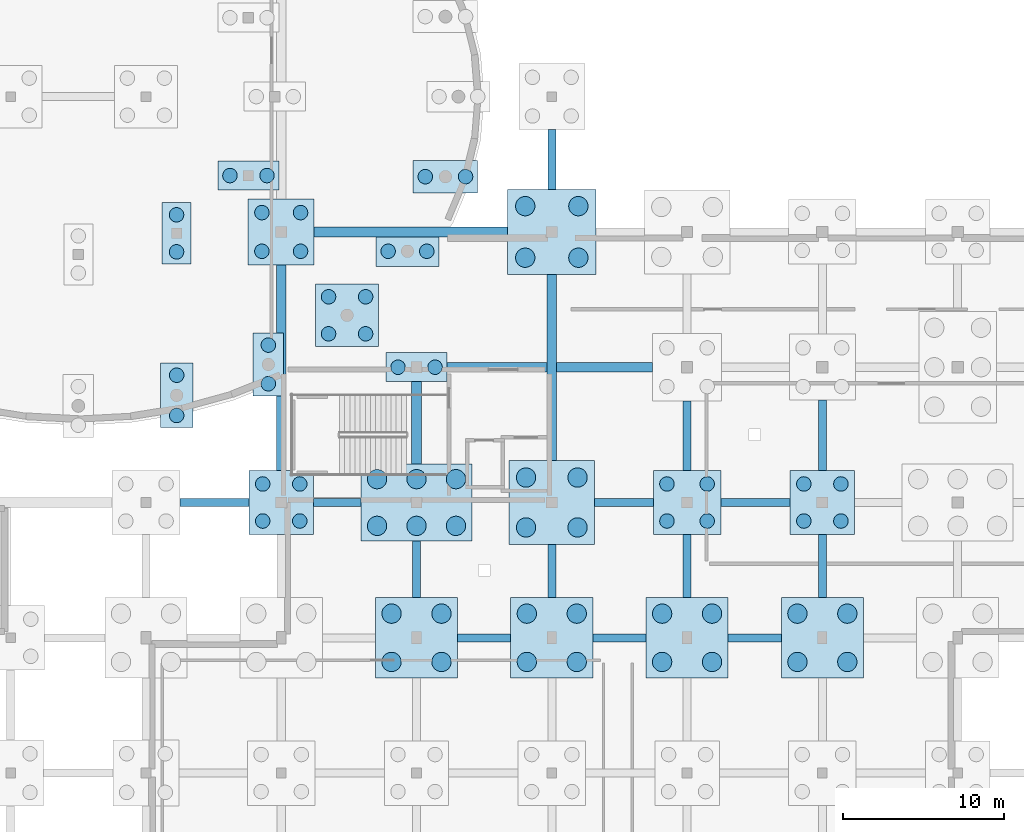
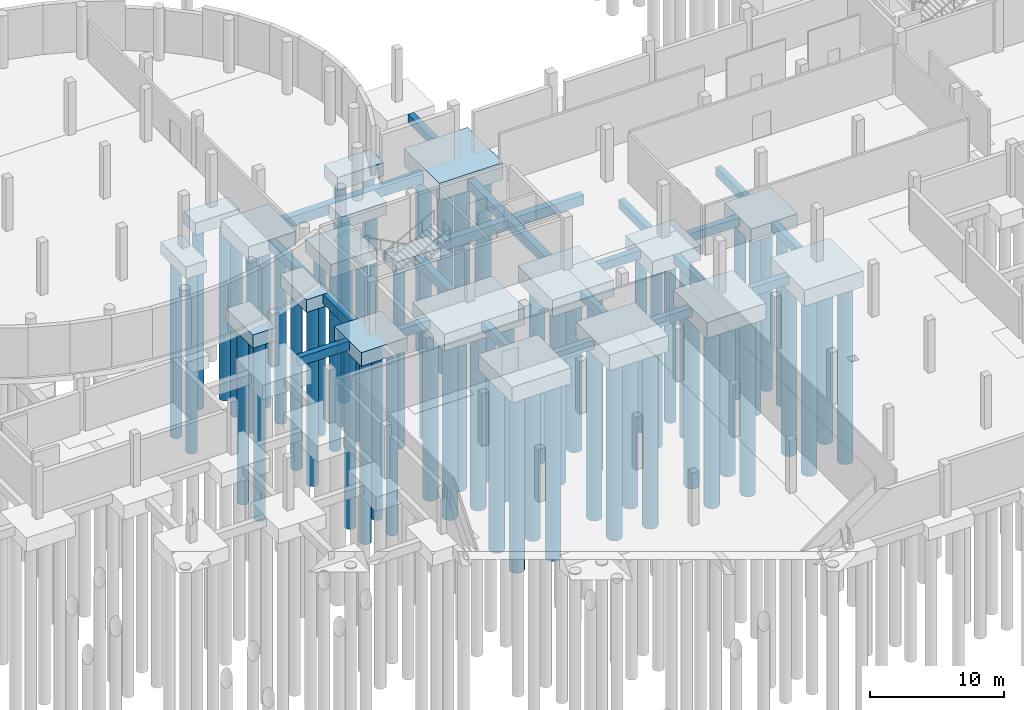
# One storey, part 5 of 24: 64 piles, 38 footings.
"""IFC4 building model written with IfcOpenShell, lengths in metres."""

from ifc_helpers import new_model, si_unit, derived_unit, direction, frame, origin, origin_2d, place, context, subcontext, project, spatial, rectangle, circle, extrude, material, layer, layer_set, material_profile, profile_set, type_object, element, save


model = new_model("IFC4")

# Units and contexts
model_context = context("Model", 3, precision=1e-05, world=origin(), true_north=direction((0.0, 1.0)))
body_context = subcontext(model_context, "Body", "Model", "MODEL_VIEW")
ifc_project = project(units=[si_unit("LENGTHUNIT", "METRE"), si_unit("AREAUNIT", "SQUARE_METRE"), si_unit("VOLUMEUNIT", "CUBIC_METRE"), si_unit("PLANEANGLEUNIT", "RADIAN"), si_unit("MASSUNIT", "GRAM", prefix="KILO"), derived_unit("THERMALTRANSMITTANCEUNIT", [(si_unit("POWERUNIT", "WATT"), 1), (si_unit("LENGTHUNIT", "METRE"), -2), (si_unit("THERMODYNAMICTEMPERATUREUNIT", "KELVIN"), -1)])], contexts=[model_context])

# Site, building, storey
site_placement = place(None, origin())
site = spatial("IfcSite", under=ifc_project, at=site_placement, CompositionType="ELEMENT")
building_placement = place(site_placement, origin())
building = spatial("IfcBuilding", under=site, at=building_placement, Name="Elbkamm Science Centre", CompositionType="ELEMENT")
storey_placement = place(building_placement, frame((0.0, 0.0, -4.800048828125)))
storey = spatial("IfcBuildingStorey", under=building, at=storey_placement, Name="B01", CompositionType="ELEMENT", Elevation=-4.800048828125)

# Footings
ifc_material = material(Name="Concrete C35/45", Category="concrete")
footing_type_1 = type_object("IfcFootingType", Name="FTG-TIE-500x800", PredefinedType="FOOTING_BEAM", material=ifc_material)
for number, where, z_axis, x_axis, name in (
    (1, (88.199951171875, 33.60009765625, -1.2998046875), (0.0, 0.0, 1.0), (1.0, 0.0, 0.0), "Substructure Ground Tie Beam X-050"),
    (2, (96.60009765625, 33.60009765625, -1.2998046875), (0.0, 0.0, 1.0), (1.0, 0.0, 0.0), "Substructure Ground Tie Beam X-051"),
    (3, (105.0, 33.60009765625, -1.2998046875), (0.0, 0.0, 1.0), (1.0, 0.0, 0.0), "Substructure Ground Tie Beam X-052"),
):
    element("IfcFooting", number, at=place(storey_placement, frame(where, z_axis=z_axis, x_axis=x_axis)), inside=storey, type_object=footing_type_1, Name=name, PredefinedType="FOOTING_BEAM", context=body_context, shape_type="SweptSolid", body=[
        extrude(rectangle(XDim=3.300048828125, YDim=0.5, at=origin_2d()), origin(), (0.0, 0.0, 1.0), 0.800048828125),
    ])
footing_1_placement = place(storey_placement, frame((71.449951171875, 42.0, -0.7998046875), z_axis=(0.0, 0.0, 1.0), x_axis=(1.0, 0.0, 0.0)))
element("IfcFooting", 4, at=footing_1_placement, inside=storey, type_object=footing_type_1, Name="Substructure Ground Tie Beam X-062", PredefinedType="FOOTING_BEAM", context=body_context, shape_type="SweptSolid", body=[
    extrude(rectangle(XDim=4.300048828125, YDim=0.5, at=origin_2d()), origin(), (0.0, 0.0, 1.0), 0.800048828125),
])
footing_2_placement = place(storey_placement, frame((79.074951171875, 42.0, -1.2998046875), z_axis=(0.0, 0.0, 1.0), x_axis=(1.0, 0.0, 0.0)))
element("IfcFooting", 5, at=footing_2_placement, inside=storey, type_object=footing_type_1, Name="Substructure Ground Tie Beam X-063", PredefinedType="FOOTING_BEAM", context=body_context, shape_type="SweptSolid", body=[
    extrude(rectangle(XDim=2.949951171875, YDim=0.5, at=origin_2d()), origin(), (0.0, 0.0, 1.0), 0.800048828125),
])
footing_3_placement = place(storey_placement, frame((96.875, 42.0, -1.2998046875), z_axis=(0.0, 0.0, 1.0), x_axis=(1.0, 0.0, 0.0)))
element("IfcFooting", 6, at=footing_3_placement, inside=storey, type_object=footing_type_1, Name="Substructure Ground Tie Beam X-064", PredefinedType="FOOTING_BEAM", context=body_context, shape_type="SweptSolid", body=[
    extrude(rectangle(XDim=3.64990234375, YDim=0.5, at=origin_2d()), origin(), (0.0, 0.0, 1.0), 0.800048828125),
])
footing_4_placement = place(storey_placement, frame((105.050048828125, 42.0, -1.2998046875), z_axis=(0.0, 0.0, 1.0), x_axis=(1.0, 0.0, 0.0)))
element("IfcFooting", 7, at=footing_4_placement, inside=storey, type_object=footing_type_1, Name="Substructure Ground Tie Beam X-065", PredefinedType="FOOTING_BEAM", context=body_context, shape_type="SweptSolid", body=[
    extrude(rectangle(XDim=4.300048828125, YDim=0.5, at=origin_2d()), origin(), (0.0, 0.0, 1.0), 0.800048828125),
])
footing_5_placement = place(storey_placement, frame((84.0, 37.85009765625, -1.2998046875), z_axis=(0.0, 0.0, 1.0), x_axis=(1.0, 0.0, 0.0)))
element("IfcFooting", 8, at=footing_5_placement, inside=storey, type_object=footing_type_1, Name="Substructure Ground Tie Beam Y-177", PredefinedType="FOOTING_BEAM", context=body_context, shape_type="SweptSolid", body=[
    extrude(rectangle(XDim=0.5, YDim=3.5, at=origin_2d()), origin(), (0.0, 0.0, 1.0), 0.800048828125),
])
footing_6_placement = place(storey_placement, frame((92.39990234375, 37.75, -1.2998046875), z_axis=(0.0, 0.0, 1.0), x_axis=(1.0, 0.0, 0.0)))
element("IfcFooting", 9, at=footing_6_placement, inside=storey, type_object=footing_type_1, Name="Substructure Ground Tie Beam Y-183", PredefinedType="FOOTING_BEAM", context=body_context, shape_type="SweptSolid", body=[
    extrude(rectangle(XDim=0.5, YDim=3.300048828125, at=origin_2d()), origin(), (0.0, 0.0, 1.0), 0.800048828125),
])
footing_7_placement = place(storey_placement, frame((92.39990234375, 63.300048828125, -0.7998046875), z_axis=(0.0, 0.0, 1.0), x_axis=(1.0, 0.0, 0.0)))
element("IfcFooting", 10, at=footing_7_placement, inside=storey, type_object=footing_type_1, Name="Substructure Ground Tie Beam Y-185", PredefinedType="FOOTING_BEAM", context=body_context, shape_type="SweptSolid", body=[
    extrude(rectangle(XDim=0.5, YDim=3.699951171875, at=origin_2d()), origin(), (0.0, 0.0, 1.0), 0.800048828125),
])
footing_8_placement = place(storey_placement, frame((100.800048828125, 38.050048828125, -1.2998046875), z_axis=(0.0, 0.0, 1.0), x_axis=(1.0, 0.0, 0.0)))
element("IfcFooting", 11, at=footing_8_placement, inside=storey, type_object=footing_type_1, Name="Substructure Ground Tie Beam Y-190", PredefinedType="FOOTING_BEAM", context=body_context, shape_type="SweptSolid", body=[
    extrude(rectangle(XDim=0.5, YDim=3.89990234375, at=origin_2d()), origin(), (0.0, 0.0, 1.0), 0.800048828125),
])
footing_9_placement = place(storey_placement, frame((100.800048828125, 46.14990234375, -1.2998046875), z_axis=(0.0, 0.0, 1.0), x_axis=(1.0, 0.0, 0.0)))
element("IfcFooting", 12, at=footing_9_placement, inside=storey, type_object=footing_type_1, Name="Substructure Ground Tie Beam Y-191", PredefinedType="FOOTING_BEAM", context=body_context, shape_type="SweptSolid", body=[
    extrude(rectangle(XDim=0.5, YDim=4.300048828125, at=origin_2d()), origin(), (0.0, 0.0, 1.0), 0.800048828125),
])
footing_10_placement = place(storey_placement, frame((109.199951171875, 38.050048828125, -1.2998046875), z_axis=(0.0, 0.0, 1.0), x_axis=(1.0, 0.0, 0.0)))
element("IfcFooting", 13, at=footing_10_placement, inside=storey, type_object=footing_type_1, Name="Substructure Ground Tie Beam Y-197", PredefinedType="FOOTING_BEAM", context=body_context, shape_type="SweptSolid", body=[
    extrude(rectangle(XDim=0.5, YDim=3.89990234375, at=origin_2d()), origin(), (0.0, 0.0, 1.0), 0.800048828125),
])
footing_11_placement = place(storey_placement, frame((109.199951171875, 46.175048828125, -1.2998046875), z_axis=(0.0, 0.0, 1.0), x_axis=(1.0, 0.0, 0.0)))
element("IfcFooting", 14, at=footing_11_placement, inside=storey, type_object=footing_type_1, Name="Substructure Ground Tie Beam Y-198", PredefinedType="FOOTING_BEAM", context=body_context, shape_type="SweptSolid", body=[
    extrude(rectangle(XDim=0.5, YDim=4.35009765625, at=origin_2d()), origin(), (0.0, 0.0, 1.0), 0.800048828125),
])
footing_type_2 = type_object("IfcFootingType", Name="FTG-TIE-600x900", PredefinedType="FOOTING_BEAM", material=ifc_material)
footing_12_placement = place(storey_placement, frame((92.27490234375, 50.39990234375, -1.39990234375), z_axis=(0.0, 0.0, 1.0), x_axis=(1.0, 0.0, 0.0)))
element("IfcFooting", 15, at=footing_12_placement, inside=storey, type_object=footing_type_2, Name="Substructure Ground Tie Beam X-073", PredefinedType="FOOTING_BEAM", context=body_context, shape_type="SweptSolid", body=[
    extrude(rectangle(XDim=12.75, YDim=0.60009765625, at=origin_2d()), origin(), (0.0, 0.0, 1.0), 0.89990234375),
])
footing_13_placement = place(storey_placement, frame((83.64990234375, 58.800048828125, -1.39990234375), z_axis=(0.0, 0.0, 1.0), x_axis=(1.0, 0.0, 0.0)))
element("IfcFooting", 16, at=footing_13_placement, inside=storey, type_object=footing_type_2, Name="Substructure Ground Tie Beam X-084", PredefinedType="FOOTING_BEAM", context=body_context, shape_type="SweptSolid", body=[
    extrude(rectangle(XDim=12.0, YDim=0.60009765625, at=origin_2d()), origin(), (0.0, 0.0, 1.0), 0.89990234375),
])
footing_14_placement = place(storey_placement, frame((75.60009765625, 50.375, -1.39990234375), z_axis=(0.0, 0.0, 1.0), x_axis=(1.0, 0.0, 0.0)))
element("IfcFooting", 17, at=footing_14_placement, inside=storey, type_object=footing_type_2, Name="Substructure Ground Tie Beam Y-171", PredefinedType="FOOTING_BEAM", context=body_context, shape_type="SweptSolid", body=[
    extrude(rectangle(XDim=0.60009765625, YDim=12.75, at=origin_2d()), origin(), (0.0, 0.0, 1.0), 0.89990234375),
])
footing_15_placement = place(storey_placement, frame((84.0, 46.949951171875, -1.39990234375), z_axis=(0.0, 0.0, 1.0), x_axis=(1.0, 0.0, 0.0)))
element("IfcFooting", 18, at=footing_15_placement, inside=storey, type_object=footing_type_2, Name="Substructure Ground Tie Beam Y-178", PredefinedType="FOOTING_BEAM", context=body_context, shape_type="SweptSolid", body=[
    extrude(rectangle(XDim=0.60009765625, YDim=5.10009765625, at=origin_2d()), origin(), (0.0, 0.0, 1.0), 0.89990234375),
])
footing_16_placement = place(storey_placement, frame((92.39990234375, 50.375, -1.39990234375), z_axis=(0.0, 0.0, 1.0), x_axis=(1.0, 0.0, 0.0)))
element("IfcFooting", 19, at=footing_16_placement, inside=storey, type_object=footing_type_2, Name="Substructure Ground Tie Beam Y-184", PredefinedType="FOOTING_BEAM", context=body_context, shape_type="SweptSolid", body=[
    extrude(rectangle(XDim=0.60009765625, YDim=11.550048828125, at=origin_2d()), origin(), (0.0, 0.0, 1.0), 0.89990234375),
])
ifc_layer_1 = layer(ifc_material, 1.10009765625)
ifc_layer_set_1 = layer_set([ifc_layer_1], Name="Concrete C35/45")
footing_type_3 = type_object("IfcFootingType", Name="PC-2P-180x380x110", PredefinedType="PILE_CAP", material=ifc_layer_set_1)
footing_17_placement = place(storey_placement, frame((69.10009765625, 58.712890625, -1.60009765625), z_axis=(0.0, 0.0, 1.0), x_axis=(1.0, 0.0, 0.0)))
element("IfcFooting", 20, at=footing_17_placement, inside=storey, type_object=footing_type_3, Name="Pile Cap SH-IN-11", PredefinedType="PILE_CAP", context=body_context, shape_type="SweptSolid", body=[
    extrude(rectangle(XDim=1.800048828125, YDim=3.800048828125, at=origin_2d()), origin(), (0.0, 0.0, 1.0), 1.10009765625),
])
ifc_layer_2 = layer(ifc_material, 1.14990234375)
ifc_layer_set_2 = layer_set([ifc_layer_2], Name="Concrete C35/45")
footing_type_4 = type_object("IfcFootingType", Name="PC-2P-190x390x115", PredefinedType="PILE_CAP", material=ifc_layer_set_2)
footing_18_placement = place(storey_placement, frame((74.800048828125, 50.572021484375, -1.64990234375), z_axis=(0.0, 0.0, 1.0), x_axis=(1.0, 0.0, 0.0)))
element("IfcFooting", 21, at=footing_18_placement, inside=storey, type_object=footing_type_4, Name="Pile Cap SH-OUT-21", PredefinedType="PILE_CAP", context=body_context, shape_type="SweptSolid", body=[
    extrude(rectangle(XDim=1.89990234375, YDim=3.89990234375, at=origin_2d()), origin(), (0.0, 0.0, 1.0), 1.14990234375),
])
ifc_layer_3 = layer(ifc_material, 1.199951171875)
ifc_layer_set_3 = layer_set([ifc_layer_3], Name="Concrete C35/45")
footing_type_5 = type_object("IfcFootingType", Name="PC-2P-200x400x120", PredefinedType="PILE_CAP", material=ifc_layer_set_3)
footing_19_placement = place(storey_placement, frame((69.10791015625, 48.654052734375, -1.69970703125), z_axis=(0.0, 0.0, 1.0), x_axis=(1.0, 0.0, 0.0)))
element("IfcFooting", 22, at=footing_19_placement, inside=storey, type_object=footing_type_5, Name="Pile Cap SH-OUT-20", PredefinedType="PILE_CAP", context=body_context, shape_type="SweptSolid", body=[
    extrude(rectangle(XDim=2.0, YDim=4.0, at=origin_2d()), origin(), (0.0, 0.0, 1.0), 1.199951171875),
])
ifc_layer_4 = layer(ifc_material, 1.10009765625)
ifc_layer_set_4 = layer_set([ifc_layer_4], Name="Concrete C35/45")
footing_type_6 = type_object("IfcFootingType", Name="PC-2P-380x180x110", PredefinedType="PILE_CAP", material=ifc_layer_set_4)
for number, where, z_axis, x_axis, name in (
    (23, (73.56591796875, 62.300048828125, -1.60009765625), (0.0, 0.0, 1.0), (1.0, 0.0, 0.0), "Pile Cap SH-IN-12"),
    (24, (84.0, 50.39990234375, -1.60009765625), (0.0, 0.0, 1.0), (1.0, 0.0, 0.0), "Pile Cap GRID-11-G"),
):
    element("IfcFooting", number, at=place(storey_placement, frame(where, z_axis=z_axis, x_axis=x_axis)), inside=storey, type_object=footing_type_6, Name=name, PredefinedType="PILE_CAP", context=body_context, shape_type="SweptSolid", body=[
        extrude(rectangle(XDim=3.800048828125, YDim=1.800048828125, at=origin_2d()), origin(), (0.0, 0.0, 1.0), 1.10009765625),
    ])
ifc_layer_5 = layer(ifc_material, 1.14990234375)
ifc_layer_set_5 = layer_set([ifc_layer_5], Name="Concrete C35/45")
footing_type_7 = type_object("IfcFootingType", Name="PC-2P-390x190x115", PredefinedType="PILE_CAP", material=ifc_layer_set_5)
footing_20_placement = place(storey_placement, frame((83.43798828125, 57.60009765625, -1.64990234375), z_axis=(0.0, 0.0, 1.0), x_axis=(1.0, 0.0, 0.0)))
element("IfcFooting", 25, at=footing_20_placement, inside=storey, type_object=footing_type_7, Name="Pile Cap SH-OUT-23", PredefinedType="PILE_CAP", context=body_context, shape_type="SweptSolid", body=[
    extrude(rectangle(XDim=3.89990234375, YDim=1.89990234375, at=origin_2d()), origin(), (0.0, 0.0, 1.0), 1.14990234375),
])
ifc_layer_6 = layer(ifc_material, 1.199951171875)
ifc_layer_set_6 = layer_set([ifc_layer_6], Name="Concrete C35/45")
footing_type_8 = type_object("IfcFootingType", Name="PC-2P-400x200x120", PredefinedType="PILE_CAP", material=ifc_layer_set_6)
footing_21_placement = place(storey_placement, frame((85.7958984375, 62.23095703125, -1.69970703125), z_axis=(0.0, 0.0, 1.0), x_axis=(1.0, 0.0, 0.0)))
element("IfcFooting", 26, at=footing_21_placement, inside=storey, type_object=footing_type_8, Name="Pile Cap SH-OUT-24", PredefinedType="PILE_CAP", context=body_context, shape_type="SweptSolid", body=[
    extrude(rectangle(XDim=4.0, YDim=2.0, at=origin_2d()), origin(), (0.0, 0.0, 1.0), 1.199951171875),
])
ifc_layer_7 = layer(ifc_material, 1.199951171875)
ifc_layer_set_7 = layer_set([ifc_layer_7], Name="Concrete C35/45")
footing_type_9 = type_object("IfcFootingType", Name="PC-4P-390x390x120", PredefinedType="PILE_CAP", material=ifc_layer_set_7)
footing_22_placement = place(storey_placement, frame((79.68798828125, 53.6240234375, -1.69970703125), z_axis=(0.0, 0.0, 1.0), x_axis=(1.0, 0.0, 0.0)))
element("IfcFooting", 27, at=footing_22_placement, inside=storey, type_object=footing_type_9, Name="Pile Cap SH-OUT-22", PredefinedType="PILE_CAP", context=body_context, shape_type="SweptSolid", body=[
    extrude(rectangle(XDim=3.89990234375, YDim=3.89990234375, at=origin_2d()), origin(), (0.0, 0.0, 1.0), 1.199951171875),
])
ifc_layer_8 = layer(ifc_material, 1.25)
ifc_layer_set_8 = layer_set([ifc_layer_8], Name="Concrete C35/45")
footing_type_10 = type_object("IfcFootingType", Name="PC-4P-400x400x125", PredefinedType="PILE_CAP", material=ifc_layer_set_8)
for number, where, z_axis, x_axis, name in (
    (28, (75.60009765625, 42.0, -1.25), (0.0, 0.0, 1.0), (1.0, 0.0, 0.0), "Pile Cap GRID-10-F"),
    (29, (109.199951171875, 42.0, -1.75), (0.0, 0.0, 1.0), (1.0, 0.0, 0.0), "Pile Cap GRID-14-F"),
):
    element("IfcFooting", number, at=place(storey_placement, frame(where, z_axis=z_axis, x_axis=x_axis)), inside=storey, type_object=footing_type_10, Name=name, PredefinedType="PILE_CAP", context=body_context, shape_type="SweptSolid", body=[
        extrude(rectangle(XDim=4.0, YDim=4.0, at=origin_2d()), origin(), (0.0, 0.0, 1.0), 1.25),
    ])
ifc_layer_9 = layer(ifc_material, 1.300048828125)
ifc_layer_set_9 = layer_set([ifc_layer_9], Name="Concrete C35/45")
footing_type_11 = type_object("IfcFootingType", Name="PC-4P-410x410x130", PredefinedType="PILE_CAP", material=ifc_layer_set_9)
footing_23_placement = place(storey_placement, frame((75.60009765625, 58.800048828125, -1.7998046875), z_axis=(0.0, 0.0, 1.0), x_axis=(1.0, 0.0, 0.0)))
element("IfcFooting", 30, at=footing_23_placement, inside=storey, type_object=footing_type_11, Name="Pile Cap GRID-10-H", PredefinedType="PILE_CAP", context=body_context, shape_type="SweptSolid", body=[
    extrude(rectangle(XDim=4.10009765625, YDim=4.10009765625, at=origin_2d()), origin(), (0.0, 0.0, 1.0), 1.300048828125),
])
ifc_layer_10 = layer(ifc_material, 1.300048828125)
ifc_layer_set_10 = layer_set([ifc_layer_10], Name="Concrete C35/45")
footing_type_12 = type_object("IfcFootingType", Name="PC-4P-420x400x130", PredefinedType="PILE_CAP", material=ifc_layer_set_10)
footing_24_placement = place(storey_placement, frame((100.800048828125, 42.0, -1.7998046875), z_axis=(0.0, 0.0, 1.0), x_axis=(1.0, 0.0, 0.0)))
element("IfcFooting", 31, at=footing_24_placement, inside=storey, type_object=footing_type_12, Name="Pile Cap GRID-13-F", PredefinedType="PILE_CAP", context=body_context, shape_type="SweptSolid", body=[
    extrude(rectangle(XDim=4.199951171875, YDim=4.0, at=origin_2d()), origin(), (0.0, 0.0, 1.0), 1.300048828125),
])
ifc_layer_11 = layer(ifc_material, 1.449951171875)
ifc_layer_set_11 = layer_set([ifc_layer_11], Name="Concrete C35/45")
footing_type_13 = type_object("IfcFootingType", Name="PC-4P-510x500x145", PredefinedType="PILE_CAP", material=ifc_layer_set_11)
for number, where, z_axis, x_axis, name in (
    (32, (84.0, 33.60009765625, -1.94970703125), (0.0, 0.0, 1.0), (1.0, 0.0, 0.0), "Pile Cap TH-PIER-N03"),
    (33, (92.39990234375, 33.60009765625, -1.94970703125), (0.0, 0.0, 1.0), (1.0, 0.0, 0.0), "Pile Cap TH-PIER-N04"),
    (34, (100.800048828125, 33.60009765625, -1.94970703125), (0.0, 0.0, 1.0), (1.0, 0.0, 0.0), "Pile Cap TH-PIER-N05"),
    (35, (109.199951171875, 33.60009765625, -1.94970703125), (0.0, 0.0, 1.0), (1.0, 0.0, 0.0), "Pile Cap TH-PIER-N06"),
):
    element("IfcFooting", number, at=place(storey_placement, frame(where, z_axis=z_axis, x_axis=x_axis)), inside=storey, type_object=footing_type_13, Name=name, PredefinedType="PILE_CAP", context=body_context, shape_type="SweptSolid", body=[
        extrude(rectangle(XDim=5.10009765625, YDim=5.0, at=origin_2d()), origin(), (0.0, 0.0, 1.0), 1.449951171875),
    ])
ifc_layer_12 = layer(ifc_material, 1.5)
ifc_layer_set_12 = layer_set([ifc_layer_12], Name="Concrete C35/45")
footing_type_14 = type_object("IfcFootingType", Name="PC-4P-530x520x150", PredefinedType="PILE_CAP", material=ifc_layer_set_12)
footing_25_placement = place(storey_placement, frame((92.39990234375, 42.0, -2.0), z_axis=(0.0, 0.0, 1.0), x_axis=(1.0, 0.0, 0.0)))
element("IfcFooting", 36, at=footing_25_placement, inside=storey, type_object=footing_type_14, Name="Pile Cap GRID-12-F", PredefinedType="PILE_CAP", context=body_context, shape_type="SweptSolid", body=[
    extrude(rectangle(XDim=5.300048828125, YDim=5.199951171875, at=origin_2d()), origin(), (0.0, 0.0, 1.0), 1.5),
])
ifc_layer_13 = layer(ifc_material, 1.550048828125)
ifc_layer_set_13 = layer_set([ifc_layer_13], Name="Concrete C35/45")
footing_type_15 = type_object("IfcFootingType", Name="PC-4P-550x530x155", PredefinedType="PILE_CAP", material=ifc_layer_set_13)
footing_26_placement = place(storey_placement, frame((92.39990234375, 58.800048828125, -1.5498046875), z_axis=(0.0, 0.0, 1.0), x_axis=(1.0, 0.0, 0.0)))
element("IfcFooting", 37, at=footing_26_placement, inside=storey, type_object=footing_type_15, Name="Pile Cap GRID-12-H", PredefinedType="PILE_CAP", context=body_context, shape_type="SweptSolid", body=[
    extrude(rectangle(XDim=5.5, YDim=5.300048828125, at=origin_2d()), origin(), (0.0, 0.0, 1.0), 1.550048828125),
])
ifc_layer_14 = layer(ifc_material, 1.550048828125)
ifc_layer_set_14 = layer_set([ifc_layer_14], Name="Concrete C35/45")
footing_type_16 = type_object("IfcFootingType", Name="PC-6P-690x480x155", PredefinedType="PILE_CAP", material=ifc_layer_set_14)
footing_27_placement = place(storey_placement, frame((84.0, 42.0, -2.0498046875), z_axis=(0.0, 0.0, 1.0), x_axis=(1.0, 0.0, 0.0)))
element("IfcFooting", 38, at=footing_27_placement, inside=storey, type_object=footing_type_16, Name="Pile Cap GRID-11-F", PredefinedType="PILE_CAP", context=body_context, shape_type="SweptSolid", body=[
    extrude(rectangle(XDim=6.89990234375, YDim=4.800048828125, at=origin_2d()), origin(), (0.0, 0.0, 1.0), 1.550048828125),
])

# Piles
ifc_material_profile_1 = material_profile(ifc_material, circle(Radius=0.60009765625, at=origin_2d()), Name="PILE D1200")
ifc_profile_set_1 = profile_set([ifc_material_profile_1], Name="Concrete C35/45")
pile_type_1 = type_object("IfcPileType", Name="PILE-BORED-1200", PredefinedType="BORED", material=ifc_profile_set_1)
for number, where, z_axis, x_axis, name in (
    (39, (82.449951171875, 32.10009765625, -1.849853515625), (0.0, 0.0, -1.0), (1.0, 0.0, 0.0), "Bored Pile TH-PIER-N03-1"),
    (40, (85.550048828125, 32.10009765625, -1.849853515625), (0.0, 0.0, -1.0), (1.0, 0.0, 0.0), "Bored Pile TH-PIER-N03-2"),
    (41, (82.449951171875, 35.10009765625, -1.849853515625), (0.0, 0.0, -1.0), (1.0, 0.0, 0.0), "Bored Pile TH-PIER-N03-3"),
    (42, (85.550048828125, 35.10009765625, -1.849853515625), (0.0, 0.0, -1.0), (1.0, 0.0, 0.0), "Bored Pile TH-PIER-N03-4"),
    (43, (90.85009765625, 32.10009765625, -1.849853515625), (0.0, 0.0, -1.0), (1.0, 0.0, 0.0), "Bored Pile TH-PIER-N04-1"),
    (44, (93.949951171875, 32.10009765625, -1.849853515625), (0.0, 0.0, -1.0), (1.0, 0.0, 0.0), "Bored Pile TH-PIER-N04-2"),
    (45, (90.85009765625, 35.10009765625, -1.849853515625), (0.0, 0.0, -1.0), (1.0, 0.0, 0.0), "Bored Pile TH-PIER-N04-3"),
    (46, (93.949951171875, 35.10009765625, -1.849853515625), (0.0, 0.0, -1.0), (1.0, 0.0, 0.0), "Bored Pile TH-PIER-N04-4"),
    (47, (99.25, 32.10009765625, -1.849853515625), (0.0, 0.0, -1.0), (1.0, 0.0, 0.0), "Bored Pile TH-PIER-N05-1"),
    (48, (102.35009765625, 32.10009765625, -1.849853515625), (0.0, 0.0, -1.0), (1.0, 0.0, 0.0), "Bored Pile TH-PIER-N05-2"),
    (49, (99.25, 35.10009765625, -1.849853515625), (0.0, 0.0, -1.0), (1.0, 0.0, 0.0), "Bored Pile TH-PIER-N05-3"),
    (50, (102.35009765625, 35.10009765625, -1.849853515625), (0.0, 0.0, -1.0), (1.0, 0.0, 0.0), "Bored Pile TH-PIER-N05-4"),
    (51, (107.64990234375, 32.10009765625, -1.849853515625), (0.0, 0.0, -1.0), (1.0, 0.0, 0.0), "Bored Pile TH-PIER-N06-1"),
    (52, (110.75, 32.10009765625, -1.849853515625), (0.0, 0.0, -1.0), (1.0, 0.0, 0.0), "Bored Pile TH-PIER-N06-2"),
    (53, (107.64990234375, 35.10009765625, -1.849853515625), (0.0, 0.0, -1.0), (1.0, 0.0, 0.0), "Bored Pile TH-PIER-N06-3"),
    (54, (110.75, 35.10009765625, -1.849853515625), (0.0, 0.0, -1.0), (1.0, 0.0, 0.0), "Bored Pile TH-PIER-N06-4"),
):
    element("IfcPile", number, at=place(storey_placement, frame(where, z_axis=z_axis, x_axis=x_axis)), inside=storey, type_object=pile_type_1, Name=name, PredefinedType="BORED", context=body_context, shape_type="SweptSolid", body=[
        extrude(circle(Radius=0.60009765625, at=origin_2d()), origin(), (0.0, 0.0, 1.0), 16.14990234375),
    ])
for number, where, z_axis, x_axis, name in (
    (55, (81.550048828125, 40.550048828125, -1.949951171875), (0.0, 0.0, -1.0), (1.0, 0.0, 0.0), "Bored Pile GRID-11-F-1"),
    (56, (84.0, 40.550048828125, -1.949951171875), (0.0, 0.0, -1.0), (1.0, 0.0, 0.0), "Bored Pile GRID-11-F-2"),
    (57, (86.449951171875, 40.550048828125, -1.949951171875), (0.0, 0.0, -1.0), (1.0, 0.0, 0.0), "Bored Pile GRID-11-F-3"),
    (58, (81.550048828125, 43.449951171875, -1.949951171875), (0.0, 0.0, -1.0), (1.0, 0.0, 0.0), "Bored Pile GRID-11-F-4"),
    (59, (84.0, 43.449951171875, -1.949951171875), (0.0, 0.0, -1.0), (1.0, 0.0, 0.0), "Bored Pile GRID-11-F-5"),
    (60, (86.449951171875, 43.449951171875, -1.949951171875), (0.0, 0.0, -1.0), (1.0, 0.0, 0.0), "Bored Pile GRID-11-F-6"),
):
    element("IfcPile", number, at=place(storey_placement, frame(where, z_axis=z_axis, x_axis=x_axis)), inside=storey, type_object=pile_type_1, Name=name, PredefinedType="BORED", context=body_context, shape_type="SweptSolid", body=[
        extrude(circle(Radius=0.60009765625, at=origin_2d()), origin(), (0.0, 0.0, 1.0), 16.050048828125),
    ])
for number, where, z_axis, x_axis, name in (
    (61, (90.800048828125, 40.449951171875, -1.89990234375), (0.0, 0.0, -1.0), (1.0, 0.0, 0.0), "Bored Pile GRID-12-F-1"),
    (62, (94.0, 40.449951171875, -1.89990234375), (0.0, 0.0, -1.0), (1.0, 0.0, 0.0), "Bored Pile GRID-12-F-2"),
    (63, (90.800048828125, 43.550048828125, -1.89990234375), (0.0, 0.0, -1.0), (1.0, 0.0, 0.0), "Bored Pile GRID-12-F-3"),
    (64, (94.0, 43.550048828125, -1.89990234375), (0.0, 0.0, -1.0), (1.0, 0.0, 0.0), "Bored Pile GRID-12-F-4"),
):
    element("IfcPile", number, at=place(storey_placement, frame(where, z_axis=z_axis, x_axis=x_axis)), inside=storey, type_object=pile_type_1, Name=name, PredefinedType="BORED", context=body_context, shape_type="SweptSolid", body=[
        extrude(circle(Radius=0.60009765625, at=origin_2d()), origin(), (0.0, 0.0, 1.0), 16.10009765625),
    ])
for number, where, z_axis, x_axis, name in (
    (65, (90.75, 57.199951171875, -1.449951171875), (0.0, 0.0, -1.0), (1.0, 0.0, 0.0), "Bored Pile GRID-12-H-1"),
    (66, (94.050048828125, 57.199951171875, -1.449951171875), (0.0, 0.0, -1.0), (1.0, 0.0, 0.0), "Bored Pile GRID-12-H-2"),
    (67, (90.75, 60.39990234375, -1.449951171875), (0.0, 0.0, -1.0), (1.0, 0.0, 0.0), "Bored Pile GRID-12-H-3"),
    (68, (94.050048828125, 60.39990234375, -1.449951171875), (0.0, 0.0, -1.0), (1.0, 0.0, 0.0), "Bored Pile GRID-12-H-4"),
):
    element("IfcPile", number, at=place(storey_placement, frame(where, z_axis=z_axis, x_axis=x_axis)), inside=storey, type_object=pile_type_1, Name=name, PredefinedType="BORED", context=body_context, shape_type="SweptSolid", body=[
        extrude(circle(Radius=0.60009765625, at=origin_2d()), origin(), (0.0, 0.0, 1.0), 16.550048828125),
    ])
ifc_material_profile_2 = material_profile(ifc_material, circle(Radius=0.449951171875, at=origin_2d()), Name="PILE D900")
ifc_profile_set_2 = profile_set([ifc_material_profile_2], Name="Concrete C35/45")
pile_type_2 = type_object("IfcPileType", Name="PILE-BORED-900", PredefinedType="BORED", material=ifc_profile_set_2)
for number, where, z_axis, x_axis, name in (
    (69, (69.10791015625, 47.404052734375, -1.599853515625), (0.0, 0.0, -1.0), (1.0, 0.0, 0.0), "Bored Pile SH-OUT-20-1"),
    (70, (69.10791015625, 49.904052734375, -1.599853515625), (0.0, 0.0, -1.0), (1.0, 0.0, 0.0), "Bored Pile SH-OUT-20-2"),
):
    element("IfcPile", number, at=place(storey_placement, frame(where, z_axis=z_axis, x_axis=x_axis)), inside=storey, type_object=pile_type_2, Name=name, PredefinedType="BORED", context=body_context, shape_type="SweptSolid", body=[
        extrude(circle(Radius=0.449951171875, at=origin_2d()), origin(), (0.0, 0.0, 1.0), 16.39990234375),
    ])
for number, where, z_axis, x_axis, name in (
    (71, (74.800048828125, 49.3720703125, -1.550048828125), (0.0, 0.0, -1.0), (1.0, 0.0, 0.0), "Bored Pile SH-OUT-21-1"),
    (72, (74.800048828125, 51.77197265625, -1.550048828125), (0.0, 0.0, -1.0), (1.0, 0.0, 0.0), "Bored Pile SH-OUT-21-2"),
):
    element("IfcPile", number, at=place(storey_placement, frame(where, z_axis=z_axis, x_axis=x_axis)), inside=storey, type_object=pile_type_2, Name=name, PredefinedType="BORED", context=body_context, shape_type="SweptSolid", body=[
        extrude(circle(Radius=0.449951171875, at=origin_2d()), origin(), (0.0, 0.0, 1.0), 16.449951171875),
    ])
for number, where, z_axis, x_axis, name in (
    (73, (78.5380859375, 52.47412109375, -1.599853515625), (0.0, 0.0, -1.0), (1.0, 0.0, 0.0), "Bored Pile SH-OUT-22-1"),
    (74, (80.837890625, 52.47412109375, -1.599853515625), (0.0, 0.0, -1.0), (1.0, 0.0, 0.0), "Bored Pile SH-OUT-22-2"),
    (75, (78.5380859375, 54.77392578125, -1.599853515625), (0.0, 0.0, -1.0), (1.0, 0.0, 0.0), "Bored Pile SH-OUT-22-3"),
    (76, (80.837890625, 54.77392578125, -1.599853515625), (0.0, 0.0, -1.0), (1.0, 0.0, 0.0), "Bored Pile SH-OUT-22-4"),
):
    element("IfcPile", number, at=place(storey_placement, frame(where, z_axis=z_axis, x_axis=x_axis)), inside=storey, type_object=pile_type_2, Name=name, PredefinedType="BORED", context=body_context, shape_type="SweptSolid", body=[
        extrude(circle(Radius=0.449951171875, at=origin_2d()), origin(), (0.0, 0.0, 1.0), 16.39990234375),
    ])
for number, where, z_axis, x_axis, name in (
    (77, (82.238037109375, 57.60009765625, -1.550048828125), (0.0, 0.0, -1.0), (1.0, 0.0, 0.0), "Bored Pile SH-OUT-23-1"),
    (78, (84.637939453125, 57.60009765625, -1.550048828125), (0.0, 0.0, -1.0), (1.0, 0.0, 0.0), "Bored Pile SH-OUT-23-2"),
):
    element("IfcPile", number, at=place(storey_placement, frame(where, z_axis=z_axis, x_axis=x_axis)), inside=storey, type_object=pile_type_2, Name=name, PredefinedType="BORED", context=body_context, shape_type="SweptSolid", body=[
        extrude(circle(Radius=0.449951171875, at=origin_2d()), origin(), (0.0, 0.0, 1.0), 16.449951171875),
    ])
for number, where, z_axis, x_axis, name in (
    (79, (84.5458984375, 62.23095703125, -1.599853515625), (0.0, 0.0, -1.0), (1.0, 0.0, 0.0), "Bored Pile SH-OUT-24-1"),
    (80, (87.0458984375, 62.23095703125, -1.599853515625), (0.0, 0.0, -1.0), (1.0, 0.0, 0.0), "Bored Pile SH-OUT-24-2"),
):
    element("IfcPile", number, at=place(storey_placement, frame(where, z_axis=z_axis, x_axis=x_axis)), inside=storey, type_object=pile_type_2, Name=name, PredefinedType="BORED", context=body_context, shape_type="SweptSolid", body=[
        extrude(circle(Radius=0.449951171875, at=origin_2d()), origin(), (0.0, 0.0, 1.0), 16.39990234375),
    ])
for number, where, z_axis, x_axis, name in (
    (81, (69.10009765625, 57.56298828125, -1.5), (0.0, 0.0, -1.0), (1.0, 0.0, 0.0), "Bored Pile SH-IN-11-1"),
    (82, (69.10009765625, 59.863037109375, -1.5), (0.0, 0.0, -1.0), (1.0, 0.0, 0.0), "Bored Pile SH-IN-11-2"),
    (83, (72.416015625, 62.300048828125, -1.5), (0.0, 0.0, -1.0), (1.0, 0.0, 0.0), "Bored Pile SH-IN-12-1"),
    (84, (74.716064453125, 62.300048828125, -1.5), (0.0, 0.0, -1.0), (1.0, 0.0, 0.0), "Bored Pile SH-IN-12-2"),
):
    element("IfcPile", number, at=place(storey_placement, frame(where, z_axis=z_axis, x_axis=x_axis)), inside=storey, type_object=pile_type_2, Name=name, PredefinedType="BORED", context=body_context, shape_type="SweptSolid", body=[
        extrude(circle(Radius=0.449951171875, at=origin_2d()), origin(), (0.0, 0.0, 1.0), 16.5),
    ])
for number, where, z_axis, x_axis, name in (
    (85, (74.449951171875, 40.85009765625, -1.14990234375), (0.0, 0.0, -1.0), (1.0, 0.0, 0.0), "Bored Pile GRID-10-F-1"),
    (86, (76.75, 40.85009765625, -1.14990234375), (0.0, 0.0, -1.0), (1.0, 0.0, 0.0), "Bored Pile GRID-10-F-2"),
    (87, (74.449951171875, 43.14990234375, -1.14990234375), (0.0, 0.0, -1.0), (1.0, 0.0, 0.0), "Bored Pile GRID-10-F-3"),
    (88, (76.75, 43.14990234375, -1.14990234375), (0.0, 0.0, -1.0), (1.0, 0.0, 0.0), "Bored Pile GRID-10-F-4"),
):
    element("IfcPile", number, at=place(storey_placement, frame(where, z_axis=z_axis, x_axis=x_axis)), inside=storey, type_object=pile_type_2, Name=name, PredefinedType="BORED", context=body_context, shape_type="SweptSolid", body=[
        extrude(circle(Radius=0.449951171875, at=origin_2d()), origin(), (0.0, 0.0, 1.0), 16.85009765625),
    ])
for number, where, z_axis, x_axis, name in (
    (89, (74.39990234375, 57.60009765625, -1.699951171875), (0.0, 0.0, -1.0), (1.0, 0.0, 0.0), "Bored Pile GRID-10-H-1"),
    (90, (76.800048828125, 57.60009765625, -1.699951171875), (0.0, 0.0, -1.0), (1.0, 0.0, 0.0), "Bored Pile GRID-10-H-2"),
    (91, (74.39990234375, 60.0, -1.699951171875), (0.0, 0.0, -1.0), (1.0, 0.0, 0.0), "Bored Pile GRID-10-H-3"),
    (92, (76.800048828125, 60.0, -1.699951171875), (0.0, 0.0, -1.0), (1.0, 0.0, 0.0), "Bored Pile GRID-10-H-4"),
):
    element("IfcPile", number, at=place(storey_placement, frame(where, z_axis=z_axis, x_axis=x_axis)), inside=storey, type_object=pile_type_2, Name=name, PredefinedType="BORED", context=body_context, shape_type="SweptSolid", body=[
        extrude(circle(Radius=0.449951171875, at=origin_2d()), origin(), (0.0, 0.0, 1.0), 16.300048828125),
    ])
for number, where, z_axis, x_axis, name in (
    (93, (82.85009765625, 50.39990234375, -1.5), (0.0, 0.0, -1.0), (1.0, 0.0, 0.0), "Bored Pile GRID-11-G-1"),
    (94, (85.14990234375, 50.39990234375, -1.5), (0.0, 0.0, -1.0), (1.0, 0.0, 0.0), "Bored Pile GRID-11-G-2"),
):
    element("IfcPile", number, at=place(storey_placement, frame(where, z_axis=z_axis, x_axis=x_axis)), inside=storey, type_object=pile_type_2, Name=name, PredefinedType="BORED", context=body_context, shape_type="SweptSolid", body=[
        extrude(circle(Radius=0.449951171875, at=origin_2d()), origin(), (0.0, 0.0, 1.0), 16.5),
    ])
for number, where, z_axis, x_axis, name in (
    (95, (99.550048828125, 40.85009765625, -1.699951171875), (0.0, 0.0, -1.0), (1.0, 0.0, 0.0), "Bored Pile GRID-13-F-1"),
    (96, (102.050048828125, 40.85009765625, -1.699951171875), (0.0, 0.0, -1.0), (1.0, 0.0, 0.0), "Bored Pile GRID-13-F-2"),
    (97, (99.550048828125, 43.14990234375, -1.699951171875), (0.0, 0.0, -1.0), (1.0, 0.0, 0.0), "Bored Pile GRID-13-F-3"),
    (98, (102.050048828125, 43.14990234375, -1.699951171875), (0.0, 0.0, -1.0), (1.0, 0.0, 0.0), "Bored Pile GRID-13-F-4"),
):
    element("IfcPile", number, at=place(storey_placement, frame(where, z_axis=z_axis, x_axis=x_axis)), inside=storey, type_object=pile_type_2, Name=name, PredefinedType="BORED", context=body_context, shape_type="SweptSolid", body=[
        extrude(circle(Radius=0.449951171875, at=origin_2d()), origin(), (0.0, 0.0, 1.0), 16.300048828125),
    ])
for number, where, z_axis, x_axis, name in (
    (99, (108.050048828125, 40.85009765625, -1.64990234375), (0.0, 0.0, -1.0), (1.0, 0.0, 0.0), "Bored Pile GRID-14-F-1"),
    (100, (110.35009765625, 40.85009765625, -1.64990234375), (0.0, 0.0, -1.0), (1.0, 0.0, 0.0), "Bored Pile GRID-14-F-2"),
    (101, (108.050048828125, 43.14990234375, -1.64990234375), (0.0, 0.0, -1.0), (1.0, 0.0, 0.0), "Bored Pile GRID-14-F-3"),
    (102, (110.35009765625, 43.14990234375, -1.64990234375), (0.0, 0.0, -1.0), (1.0, 0.0, 0.0), "Bored Pile GRID-14-F-4"),
):
    element("IfcPile", number, at=place(storey_placement, frame(where, z_axis=z_axis, x_axis=x_axis)), inside=storey, type_object=pile_type_2, Name=name, PredefinedType="BORED", context=body_context, shape_type="SweptSolid", body=[
        extrude(circle(Radius=0.449951171875, at=origin_2d()), origin(), (0.0, 0.0, 1.0), 16.35009765625),
    ])

save(model, "model.ifc")
